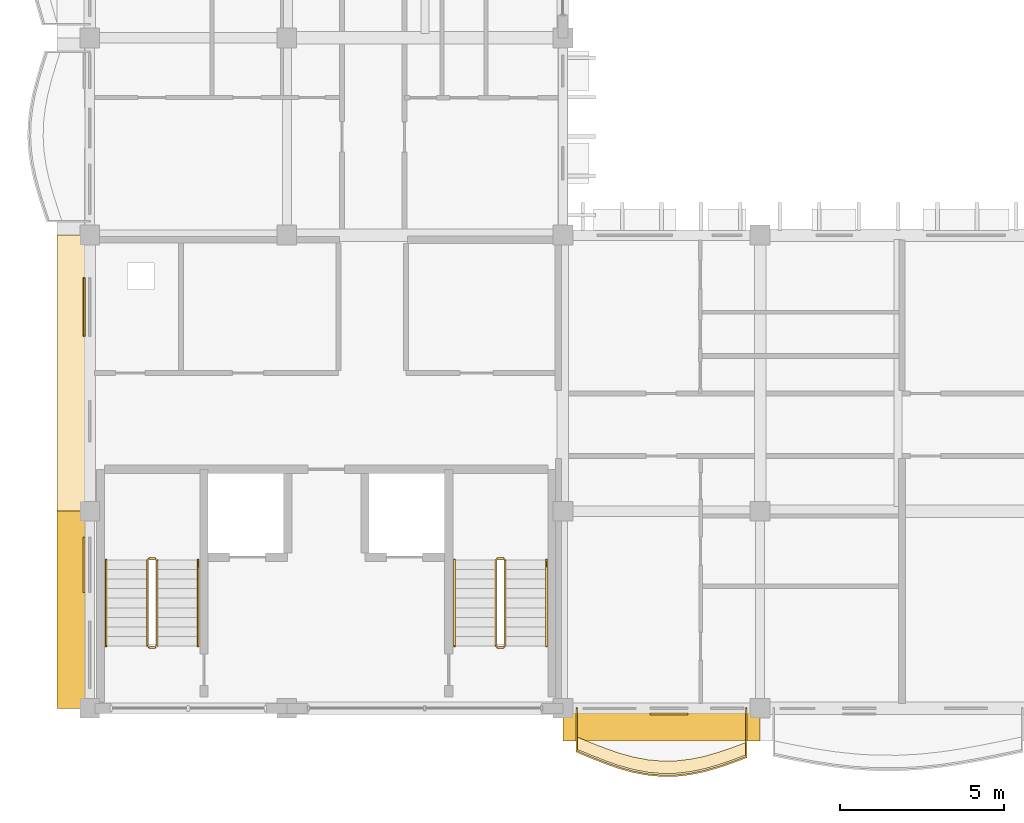
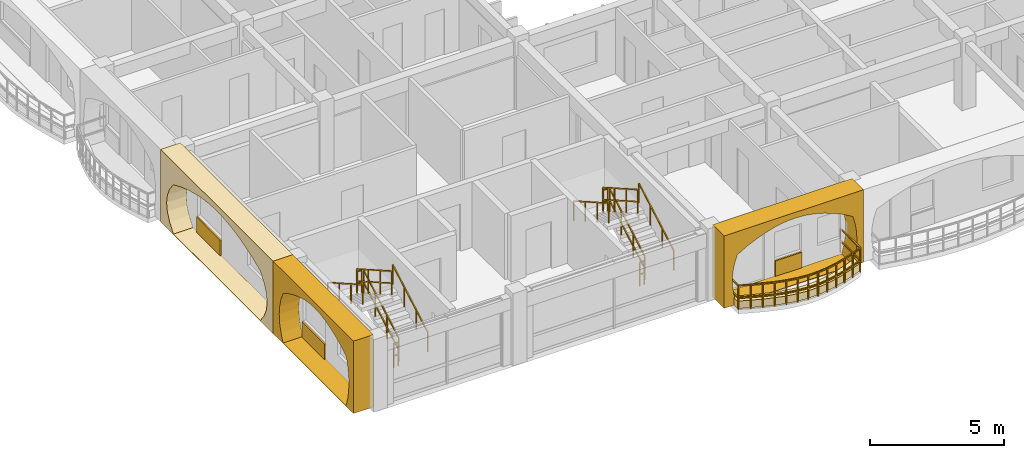
# One storey, part 49 of 76: 13 railings, 7 coverings.
"""IFC4 building model written with IfcOpenShell, lengths in metres."""

from ifc_helpers import new_model, si_unit, direction, frame, origin, origin_2d, place, context, subcontext, project, spatial, polyline, rectangle, outline, extrude, material, layer, layer_set, type_object, element, save


model = new_model("IFC4")

# Units and contexts
model_context = context("Model", 3, precision=1e-05, world=origin(), true_north=direction((0.0, 1.0)))
body_context = subcontext(model_context, "Body", "Model", "MODEL_VIEW")
ifc_project = project(units=[si_unit("LENGTHUNIT", "METRE"), si_unit("AREAUNIT", "SQUARE_METRE"), si_unit("VOLUMEUNIT", "CUBIC_METRE"), si_unit("PLANEANGLEUNIT", "RADIAN"), si_unit("MASSUNIT", "GRAM", prefix="KILO"), si_unit("THERMODYNAMICTEMPERATUREUNIT", "KELVIN")], contexts=[model_context])

# Site, building, storey
site_placement = place(None, origin())
site = spatial("IfcSite", under=ifc_project, at=site_placement, CompositionType="ELEMENT")
building_placement = place(site_placement, origin())
building = spatial("IfcBuilding", under=site, at=building_placement, Name="Thalorik Housing Commons", CompositionType="ELEMENT")
storey_placement = place(building_placement, frame((0.0, 0.0, 18.0)))
storey = spatial("IfcBuildingStorey", under=building, at=storey_placement, Name="L05", CompositionType="ELEMENT", Elevation=18.0)

# Coverings
ifc_material_1 = material(Name="Cobalt blue glazed ceramic facade tile panel", Category="masonry")
ifc_layer_1 = layer(ifc_material_1, 0.06005859375, Name="Cobalt blue glazed ceramic facade tile panel", Category="masonry")
ifc_layer_set_1 = layer_set([ifc_layer_1], Name="Cobalt blue glazed ceramic facade tile panel")
covering_type_1 = type_object("IfcCoveringType", Name="ARC-CLD-BLU-60", PredefinedType="CLADDING", material=ifc_layer_set_1)
covering_1_placement = place(storey_placement, frame((8.2275390625, 20.60498046875, 0.0498046875), z_axis=(0.0, 0.0, 1.0), x_axis=(0.0, -1.0, 0.0)))
element("IfcCovering", 1, at=covering_1_placement, inside=storey, type_object=covering_type_1, Name="L05 De Stijl Recessed Window Spandrel 3967", PredefinedType="CLADDING", context=body_context, shape_type="SweptSolid", body=[
    extrude(rectangle(XDim=1.780029296875, YDim=0.06005859375, at=origin_2d()), origin(), (0.0, 0.0, 1.0), 0.699951171875),
])
ifc_material_2 = material(Name="Precast concrete C40/50", Category="concrete")
ifc_layer_2 = layer(ifc_material_2, 0.85009765625, Name="Precast concrete C40/50", Category="concrete")
ifc_layer_set_2 = layer_set([ifc_layer_2], Name="Precast concrete C40/50")
covering_type_2 = type_object("IfcCoveringType", Name="ARC-CLD-CUSH-850", PredefinedType="CLADDING", material=ifc_layer_set_2)
covering_2_placement = place(storey_placement, frame((7.83740234375, 18.60009765625, 0.0), z_axis=(0.0, 0.0, 1.0), x_axis=(0.0, -1.0, 0.0)))
element("IfcCovering", 2, at=covering_2_placement, inside=storey, type_object=covering_type_2, Name="L05 White Precast Curved Cushion Bay Frame 3966", PredefinedType="CLADDING", context=body_context, shape_type="SweptSolid", body=[
    extrude(outline(polyline([(-4.199951171875, 0.0), (4.199951171875, 0.0), (4.199951171875, 3.300048828125), (-4.199951171875, 3.300048828125), (-4.199951171875, 0.0)]), holes=[polyline([(3.239990234375, 0.02490234375), (3.523193359375, 0.399169921875), (3.693359375, 0.773193359375), (3.75, 1.1474609375), (3.693359375, 1.521728515625), (3.523193359375, 1.895751953125), (3.239990234375, 2.27001953125), (2.699951171875, 2.50439453125), (2.159912109375, 2.6884765625), (1.6201171875, 2.837646484375), (1.080078125, 2.948486328125), (0.5400390625, 3.016845703125), (0.0, 3.0400390625), (-0.5400390625, 3.016845703125), (-1.080078125, 2.948486328125), (-1.6201171875, 2.837646484375), (-2.159912109375, 2.6884765625), (-2.699951171875, 2.50439453125), (-3.239990234375, 2.27001953125), (-3.523193359375, 1.895751953125), (-3.693359375, 1.521728515625), (-3.75, 1.1474609375), (-3.693359375, 0.773193359375), (-3.523193359375, 0.399169921875), (-3.239990234375, 0.02490234375), (3.239990234375, 0.02490234375)])]), frame((0.0, 0.425048828125, 0.0), z_axis=(0.0, -1.0, 0.0), x_axis=(1.0, 0.0, 0.0)), (0.0, 0.0, 1.0), 0.85009765625),
])
covering_3_placement = place(storey_placement, frame((7.83740234375, 11.39990234375, 0.0), z_axis=(0.0, 0.0, 1.0), x_axis=(0.0, -1.0, 0.0)))
element("IfcCovering", 3, at=covering_3_placement, inside=storey, type_object=covering_type_2, Name="L05 White Precast Curved Cushion Bay Frame 3968", PredefinedType="CLADDING", context=body_context, shape_type="SweptSolid", body=[
    extrude(outline(polyline([(-3.0, 0.0), (3.0, 0.0), (3.0, 3.300048828125), (-3.0, 3.300048828125), (-3.0, 0.0)]), holes=[polyline([(2.43994140625, 0.02490234375), (2.55810546875, 0.40087890625), (2.629150390625, 0.776611328125), (2.65283203125, 1.152587890625), (2.629150390625, 1.5283203125), (2.55810546875, 1.904296875), (2.43994140625, 2.280029296875), (2.04833984375, 2.51123046875), (1.65673828125, 2.693115234375), (1.264892578125, 2.840087890625), (0.873291015625, 2.94970703125), (0.481689453125, 3.01708984375), (0.090087890625, 3.0400390625), (-0.3017578125, 3.01708984375), (-0.693359375, 2.94970703125), (-1.0849609375, 2.840087890625), (-1.476806640625, 2.693115234375), (-1.868408203125, 2.51123046875), (-2.260009765625, 2.280029296875), (-2.421142578125, 1.904296875), (-2.517822265625, 1.5283203125), (-2.550048828125, 1.152587890625), (-2.517822265625, 0.776611328125), (-2.421142578125, 0.40087890625), (-2.260009765625, 0.02490234375), (2.43994140625, 0.02490234375)])]), frame((0.0, 0.425048828125, 0.0), z_axis=(0.0, -1.0, 0.0), x_axis=(1.0, 0.0, 0.0)), (0.0, 0.0, 1.0), 0.85009765625),
])
covering_4_placement = place(storey_placement, frame((25.800048828125, 7.83740234375, 0.0), z_axis=(0.0, 0.0, 1.0), x_axis=(1.0, 0.0, 0.0)))
element("IfcCovering", 4, at=covering_4_placement, inside=storey, type_object=covering_type_2, Name="L05 White Precast Curved Cushion Bay Frame 3970", PredefinedType="CLADDING", context=body_context, shape_type="SweptSolid", body=[
    extrude(outline(polyline([(-3.0, 0.0), (3.0, 0.0), (3.0, 3.300048828125), (-3.0, 3.300048828125), (-3.0, 0.0)]), holes=[polyline([(2.550048828125, 0.02490234375), (2.64501953125, 0.394287109375), (2.701904296875, 0.76318359375), (2.720947265625, 1.132568359375), (2.701904296875, 1.501708984375), (2.64501953125, 1.870849609375), (2.550048828125, 2.239990234375), (2.135009765625, 2.4833984375), (1.719970703125, 2.6748046875), (1.304931640625, 2.82958984375), (0.889892578125, 2.94482421875), (0.47509765625, 3.01611328125), (0.06005859375, 3.0400390625), (-0.35498046875, 3.01611328125), (-0.77001953125, 2.94482421875), (-1.18505859375, 2.82958984375), (-1.60009765625, 2.6748046875), (-2.014892578125, 2.4833984375), (-2.429931640625, 2.239990234375), (-2.55029296875, 1.870849609375), (-2.62255859375, 1.501708984375), (-2.646484375, 1.132568359375), (-2.62255859375, 0.76318359375), (-2.55029296875, 0.394287109375), (-2.429931640625, 0.02490234375), (2.550048828125, 0.02490234375)])]), frame((0.0, 0.425048828125, 0.0), z_axis=(0.0, -1.0, 0.0), x_axis=(1.0, 0.0, 0.0)), (0.0, 0.0, 1.0), 0.85009765625),
])
ifc_material_3 = material(Name="Mineral ochre architectural terracotta panel", Category="masonry")
ifc_layer_3 = layer(ifc_material_3, 0.06494140625, Name="Mineral ochre architectural terracotta panel", Category="masonry")
ifc_layer_set_3 = layer_set([ifc_layer_3], Name="Mineral ochre architectural terracotta panel")
covering_type_3 = type_object("IfcCoveringType", Name="ARC-CLD-YEL-65", PredefinedType="CLADDING", material=ifc_layer_set_3)
covering_5_placement = place(storey_placement, frame((8.22509765625, 12.77001953125, 0.0498046875), z_axis=(0.0, 0.0, 1.0), x_axis=(0.0, -1.0, 0.0)))
element("IfcCovering", 5, at=covering_5_placement, inside=storey, type_object=covering_type_3, Name="L05 De Stijl Recessed Window Spandrel 3969", PredefinedType="CLADDING", context=body_context, shape_type="SweptSolid", body=[
    extrude(rectangle(XDim=1.679931640625, YDim=0.06494140625, at=origin_2d()), origin(), (0.0, 0.0, 1.0), 0.699951171875),
])
covering_6_placement = place(storey_placement, frame((26.030029296875, 8.22509765625, 0.0498046875), z_axis=(0.0, 0.0, 1.0), x_axis=(1.0, 0.0, 0.0)))
element("IfcCovering", 6, at=covering_6_placement, inside=storey, type_object=covering_type_3, Name="L05 De Stijl Recessed Window Spandrel 3971", PredefinedType="CLADDING", context=body_context, shape_type="SweptSolid", body=[
    extrude(rectangle(XDim=1.14990234375, YDim=0.06494140625, at=origin_2d()), origin(), (0.0, 0.0, 1.0), 0.699951171875),
])
ifc_material_4 = material(Name="Planted vegetated substrate and terracotta trough", Category="masonry")
ifc_layer_4 = layer(ifc_material_4, 0.340087890625, Name="Planted vegetated substrate and terracotta trough", Category="masonry")
ifc_layer_set_4 = layer_set([ifc_layer_4], Name="Planted vegetated substrate and terracotta trough")
covering_type_4 = type_object("IfcCoveringType", Name="ARC-COV-PLANTER", PredefinedType="USERDEFINED", material=ifc_layer_set_4)
covering_7_placement = place(storey_placement, origin())
element("IfcCovering", 7, at=covering_7_placement, inside=storey, type_object=covering_type_4, Name="L05 Balcony Slab-Edge Planted Trough 5602", ObjectType="PLANTER", PredefinedType="USERDEFINED", context=body_context, shape_type="SweptSolid", body=[
    extrude(outline(polyline([(23.219970703125, 7.155029296875), (23.64990234375, 6.975830078125), (24.080078125, 6.806396484375), (24.510009765625, 6.657470703125), (24.93994140625, 6.5380859375), (25.3701171875, 6.456298828125), (25.800048828125, 6.41650390625), (26.22998046875, 6.421142578125), (26.659912109375, 6.468994140625), (27.090087890625, 6.556640625), (27.52001953125, 6.677490234375), (27.949951171875, 6.823486328125), (28.3798828125, 6.984619140625), (28.3798828125, 7.364501953125), (27.949951171875, 7.20361328125), (27.52001953125, 7.0576171875), (27.090087890625, 6.9365234375), (26.659912109375, 6.84912109375), (26.22998046875, 6.801025390625), (25.800048828125, 6.796630859375), (25.3701171875, 6.836181640625), (24.93994140625, 6.918212890625), (24.510009765625, 7.037353515625), (24.080078125, 7.186279296875), (23.64990234375, 7.35595703125), (23.219970703125, 7.534912109375), (23.219970703125, 7.155029296875)])), origin(), (0.0, 0.0, 1.0), 0.340087890625),
])

# Railings
ifc_material_5 = material(Name="Steel S355", Category="steel")
railing_type_1 = type_object("IfcRailingType", Name="ARC-RL-BAL-112", PredefinedType="BALUSTRADE", material=ifc_material_5)
railing_1_placement = place(storey_placement, frame((23.219970703125, 8.39990234375, 0.0)))
element("IfcRailing", 8, at=railing_1_placement, inside=storey, type_object=railing_type_1, Name="L05 Cushion Balcony Guardrail 286", PredefinedType="BALUSTRADE", context=body_context, shape_type="SweptSolid", body=[
    extrude(rectangle(XDim=0.050048828125, YDim=0.050048828125, at=origin_2d()), frame((0.0, 0.0, 1.09521484375), z_axis=(0.0, -1.0, 0.0), x_axis=(1.0, 0.0, 0.0)), (0.0, 0.0, 1.0), 1.31494140625),
    extrude(rectangle(XDim=0.050048828125, YDim=0.050048828125, at=origin_2d()), frame((0.0, 0.0, 0.53515625), z_axis=(0.0, -1.0, 0.0), x_axis=(1.0, 0.0, 0.0)), (0.0, 0.0, 1.0), 1.31494140625),
    extrude(rectangle(XDim=0.050048828125, YDim=0.050048828125, at=origin_2d()), frame((0.0, -1.31494140625, 1.09521484375), z_axis=(0.923216457319, -0.384280331184, 0.0), x_axis=(0.384280331184, 0.923216457319, 0.0)), (0.0, 0.0, 1.0), 0.465576171875),
    extrude(rectangle(XDim=0.050048828125, YDim=0.050048828125, at=origin_2d()), frame((0.0, -1.31494140625, 0.53515625), z_axis=(0.923216457319, -0.384280331184, 0.0), x_axis=(0.384280331184, 0.923216457319, 0.0)), (0.0, 0.0, 1.0), 0.465576171875),
    extrude(rectangle(XDim=0.050048828125, YDim=0.050048828125, at=origin_2d()), frame((0.429931640625, -1.493896484375, 1.09521484375), z_axis=(0.930250088629, -0.366926113279, 0.0), x_axis=(0.366926113279, 0.930250088629, 0.0)), (0.0, 0.0, 1.0), 0.46240234375),
    extrude(rectangle(XDim=0.050048828125, YDim=0.050048828125, at=origin_2d()), frame((0.429931640625, -1.493896484375, 0.53515625), z_axis=(0.930250088629, -0.366926113279, 0.0), x_axis=(0.366926113279, 0.930250088629, 0.0)), (0.0, 0.0, 1.0), 0.46240234375),
    extrude(rectangle(XDim=0.050048828125, YDim=0.050048828125, at=origin_2d()), frame((0.860107421875, -1.66357421875, 1.09521484375), z_axis=(0.944915878201, -0.327313279786, 0.0), x_axis=(0.327313279786, 0.944915878201, 0.0)), (0.0, 0.0, 1.0), 0.455078125),
    extrude(rectangle(XDim=0.050048828125, YDim=0.050048828125, at=origin_2d()), frame((0.860107421875, -1.66357421875, 0.53515625), z_axis=(0.944915878201, -0.327313279786, 0.0), x_axis=(0.327313279786, 0.944915878201, 0.0)), (0.0, 0.0, 1.0), 0.455078125),
    extrude(rectangle(XDim=0.050048828125, YDim=0.050048828125, at=origin_2d()), frame((1.2900390625, -1.8125, 1.09521484375), z_axis=(0.963682368492, -0.267051104954, 0.0), x_axis=(0.267051104954, 0.963682368492, 0.0)), (0.0, 0.0, 1.0), 0.446044921875),
    extrude(rectangle(XDim=0.050048828125, YDim=0.050048828125, at=origin_2d()), frame((1.2900390625, -1.8125, 0.53515625), z_axis=(0.963682368492, -0.267051104954, 0.0), x_axis=(0.267051104954, 0.963682368492, 0.0)), (0.0, 0.0, 1.0), 0.446044921875),
    extrude(rectangle(XDim=0.050048828125, YDim=0.050048828125, at=origin_2d()), frame((1.719970703125, -1.931640625, 1.09521484375), z_axis=(0.982299508461, -0.187317045881, 0.0), x_axis=(0.187317045881, 0.982299508461, 0.0)), (0.0, 0.0, 1.0), 0.43798828125),
    extrude(rectangle(XDim=0.050048828125, YDim=0.050048828125, at=origin_2d()), frame((1.719970703125, -1.931640625, 0.53515625), z_axis=(0.982299508461, -0.187317045881, 0.0), x_axis=(0.187317045881, 0.982299508461, 0.0)), (0.0, 0.0, 1.0), 0.43798828125),
    extrude(rectangle(XDim=0.050048828125, YDim=0.050048828125, at=origin_2d()), frame((2.150146484375, -2.013671875, 1.09521484375), z_axis=(0.995795295661, -0.091606381543, 0.0), x_axis=(0.091606381543, 0.995795295661, 0.0)), (0.0, 0.0, 1.0), 0.431640625),
    extrude(rectangle(XDim=0.050048828125, YDim=0.050048828125, at=origin_2d()), frame((2.150146484375, -2.013671875, 0.53515625), z_axis=(0.995795295661, -0.091606381543, 0.0), x_axis=(0.091606381543, 0.995795295661, 0.0)), (0.0, 0.0, 1.0), 0.431640625),
    extrude(rectangle(XDim=0.050048828125, YDim=0.050048828125, at=origin_2d()), frame((2.580078125, -2.05322265625, 1.09521484375), z_axis=(0.999947764919, 0.010220931158, 0.0), x_axis=(-0.010220931158, 0.999947764919, 0.0)), (0.0, 0.0, 1.0), 0.429931640625),
    extrude(rectangle(XDim=0.050048828125, YDim=0.050048828125, at=origin_2d()), frame((2.580078125, -2.05322265625, 0.53515625), z_axis=(0.999947764919, 0.010220931158, 0.0), x_axis=(-0.010220931158, 0.999947764919, 0.0)), (0.0, 0.0, 1.0), 0.429931640625),
    extrude(rectangle(XDim=0.050048828125, YDim=0.050048828125, at=origin_2d()), frame((3.010009765625, -2.048828125, 1.09521484375), z_axis=(0.993863069462, 0.110617354693, 0.0), x_axis=(-0.110617354693, 0.993863069462, 0.0)), (0.0, 0.0, 1.0), 0.4326171875),
    extrude(rectangle(XDim=0.050048828125, YDim=0.050048828125, at=origin_2d()), frame((3.010009765625, -2.048828125, 0.53515625), z_axis=(0.993863069462, 0.110617354693, 0.0), x_axis=(-0.110617354693, 0.993863069462, 0.0)), (0.0, 0.0, 1.0), 0.4326171875),
    extrude(rectangle(XDim=0.050048828125, YDim=0.050048828125, at=origin_2d()), frame((3.43994140625, -2.0009765625, 1.09521484375), z_axis=(0.979868490976, 0.1996440342, 0.0), x_axis=(-0.1996440342, 0.979868490976, 0.0)), (0.0, 0.0, 1.0), 0.43896484375),
    extrude(rectangle(XDim=0.050048828125, YDim=0.050048828125, at=origin_2d()), frame((3.43994140625, -2.0009765625, 0.53515625), z_axis=(0.979868490976, 0.1996440342, 0.0), x_axis=(-0.1996440342, 0.979868490976, 0.0)), (0.0, 0.0, 1.0), 0.43896484375),
    extrude(rectangle(XDim=0.050048828125, YDim=0.050048828125, at=origin_2d()), frame((3.8701171875, -1.913330078125, 1.09521484375), z_axis=(0.962548478062, 0.271109622441, 0.0), x_axis=(-0.271109622441, 0.962548478062, 0.0)), (0.0, 0.0, 1.0), 0.44677734375),
    extrude(rectangle(XDim=0.050048828125, YDim=0.050048828125, at=origin_2d()), frame((3.8701171875, -1.913330078125, 0.53515625), z_axis=(0.962548478062, 0.271109622441, 0.0), x_axis=(-0.271109622441, 0.962548478062, 0.0)), (0.0, 0.0, 1.0), 0.44677734375),
    extrude(rectangle(XDim=0.050048828125, YDim=0.050048828125, at=origin_2d()), frame((4.300048828125, -1.792236328125, 1.09521484375), z_axis=(0.946893945051, 0.321546041533, 0.0), x_axis=(-0.321546041533, 0.946893945051, 0.0)), (0.0, 0.0, 1.0), 0.4541015625),
    extrude(rectangle(XDim=0.050048828125, YDim=0.050048828125, at=origin_2d()), frame((4.300048828125, -1.792236328125, 0.53515625), z_axis=(0.946893945051, 0.321546041533, 0.0), x_axis=(-0.321546041533, 0.946893945051, 0.0)), (0.0, 0.0, 1.0), 0.4541015625),
    extrude(rectangle(XDim=0.050048828125, YDim=0.050048828125, at=origin_2d()), frame((4.72998046875, -1.646240234375, 1.09521484375), z_axis=(0.936569378676, 0.350482237676, 0.0), x_axis=(-0.350482237676, 0.936569378676, 0.0)), (0.0, 0.0, 1.0), 0.458984375),
    extrude(rectangle(XDim=0.050048828125, YDim=0.050048828125, at=origin_2d()), frame((4.72998046875, -1.646240234375, 0.53515625), z_axis=(0.936569378676, 0.350482237676, 0.0), x_axis=(-0.350482237676, 0.936569378676, 0.0)), (0.0, 0.0, 1.0), 0.458984375),
    extrude(rectangle(XDim=0.050048828125, YDim=0.050048828125, at=origin_2d()), frame((5.159912109375, -1.4853515625, 1.09521484375), z_axis=(0.0, 1.0, 0.0), x_axis=(-1.0, 0.0, 0.0)), (0.0, 0.0, 1.0), 1.4853515625),
    extrude(rectangle(XDim=0.050048828125, YDim=0.050048828125, at=origin_2d()), frame((5.159912109375, -1.4853515625, 0.53515625), z_axis=(0.0, 1.0, 0.0), x_axis=(-1.0, 0.0, 0.0)), (0.0, 0.0, 1.0), 1.4853515625),
    extrude(rectangle(XDim=0.0419921875, YDim=0.0419921875, at=origin_2d()), origin(), (0.0, 0.0, 1.0), 1.070068359375),
    extrude(rectangle(XDim=0.0419921875, YDim=0.0419921875, at=origin_2d()), frame((0.0, -1.31494140625, 0.0)), (0.0, 0.0, 1.0), 1.070068359375),
    extrude(rectangle(XDim=0.0419921875, YDim=0.0419921875, at=origin_2d()), frame((0.429931640625, -1.493896484375, 0.0)), (0.0, 0.0, 1.0), 1.070068359375),
    extrude(rectangle(XDim=0.0419921875, YDim=0.0419921875, at=origin_2d()), frame((0.860107421875, -1.66357421875, 0.0)), (0.0, 0.0, 1.0), 1.070068359375),
    extrude(rectangle(XDim=0.0419921875, YDim=0.0419921875, at=origin_2d()), frame((1.2900390625, -1.8125, 0.0)), (0.0, 0.0, 1.0), 1.070068359375),
    extrude(rectangle(XDim=0.0419921875, YDim=0.0419921875, at=origin_2d()), frame((1.719970703125, -1.931640625, 0.0)), (0.0, 0.0, 1.0), 1.070068359375),
    extrude(rectangle(XDim=0.0419921875, YDim=0.0419921875, at=origin_2d()), frame((2.150146484375, -2.013671875, 0.0)), (0.0, 0.0, 1.0), 1.070068359375),
    extrude(rectangle(XDim=0.0419921875, YDim=0.0419921875, at=origin_2d()), frame((2.580078125, -2.05322265625, 0.0)), (0.0, 0.0, 1.0), 1.070068359375),
    extrude(rectangle(XDim=0.0419921875, YDim=0.0419921875, at=origin_2d()), frame((3.010009765625, -2.048828125, 0.0)), (0.0, 0.0, 1.0), 1.070068359375),
    extrude(rectangle(XDim=0.0419921875, YDim=0.0419921875, at=origin_2d()), frame((3.43994140625, -2.0009765625, 0.0)), (0.0, 0.0, 1.0), 1.070068359375),
    extrude(rectangle(XDim=0.0419921875, YDim=0.0419921875, at=origin_2d()), frame((3.8701171875, -1.913330078125, 0.0)), (0.0, 0.0, 1.0), 1.070068359375),
    extrude(rectangle(XDim=0.0419921875, YDim=0.0419921875, at=origin_2d()), frame((4.300048828125, -1.792236328125, 0.0)), (0.0, 0.0, 1.0), 1.070068359375),
    extrude(rectangle(XDim=0.0419921875, YDim=0.0419921875, at=origin_2d()), frame((4.72998046875, -1.646240234375, 0.0)), (0.0, 0.0, 1.0), 1.070068359375),
    extrude(rectangle(XDim=0.0419921875, YDim=0.0419921875, at=origin_2d()), frame((5.159912109375, -1.4853515625, 0.0)), (0.0, 0.0, 1.0), 1.070068359375),
    extrude(rectangle(XDim=0.0419921875, YDim=0.0419921875, at=origin_2d()), frame((5.159912109375, 0.0, 0.0)), (0.0, 0.0, 1.0), 1.070068359375),
])
railing_type_2 = type_object("IfcRailingType", Name="ARC-RL-STR-GRD110", PredefinedType="GUARDRAIL", material=ifc_material_5)
railing_2_placement = place(storey_placement, frame((10.449951171875, 10.300048828125, 0.1650390625)))
element("IfcRailing", 9, at=railing_2_placement, inside=storey, type_object=railing_type_2, Name="L05 ST-C1 stair guard 1", PredefinedType="GUARDRAIL", context=body_context, shape_type="SweptSolid", body=[
    extrude(rectangle(XDim=0.048095703125, YDim=0.048095703125, at=origin_2d()), frame((0.0, 0.0, 1.076171875), z_axis=(0.0, 0.869172267526, 0.494509422927), x_axis=(-1.0, 0.0, 0.0)), (0.0, 0.0, 1.0), 3.002685546875),
    extrude(rectangle(XDim=0.048095703125, YDim=0.048095703125, at=origin_2d()), frame((0.0, 0.0, 0.52587890625), z_axis=(0.0, 0.869172267526, 0.494509422927), x_axis=(-1.0, 0.0, 0.0)), (0.0, 0.0, 1.0), 3.002685546875),
    extrude(rectangle(XDim=0.0419921875, YDim=0.0419921875, at=origin_2d()), origin(), (0.0, 0.0, 1.0), 1.052001953125),
    extrude(rectangle(XDim=0.0419921875, YDim=0.0419921875, at=origin_2d()), frame((0.0, 0.869873046875, 0.494873046875)), (0.0, 0.0, 1.0), 1.052001953125),
    extrude(rectangle(XDim=0.0419921875, YDim=0.0419921875, at=origin_2d()), frame((0.0, 1.739990234375, 0.989990234375)), (0.0, 0.0, 1.0), 1.052001953125),
    extrude(rectangle(XDim=0.0419921875, YDim=0.0419921875, at=origin_2d()), frame((0.0, 2.60986328125, 1.48486328125)), (0.0, 0.0, 1.0), 1.052001953125),
])
railing_3_placement = place(storey_placement, frame((10.39990234375, 12.9599609375, 1.64990234375)))
element("IfcRailing", 10, at=railing_3_placement, inside=storey, type_object=railing_type_2, Name="L05 ST-C1 stair guard 2", PredefinedType="GUARDRAIL", context=body_context, shape_type="SweptSolid", body=[
    extrude(rectangle(XDim=0.048095703125, YDim=0.048095703125, at=origin_2d()), frame((0.0, 0.0, 1.076171875), z_axis=(-1.0, 0.0, 0.0), x_axis=(0.0, -1.0, 0.0)), (0.0, 0.0, 1.0), 0.199951171875),
    extrude(rectangle(XDim=0.048095703125, YDim=0.048095703125, at=origin_2d()), frame((0.0, 0.0, 0.52587890625), z_axis=(-1.0, 0.0, 0.0), x_axis=(0.0, -1.0, 0.0)), (0.0, 0.0, 1.0), 0.199951171875),
    extrude(rectangle(XDim=0.0419921875, YDim=0.0419921875, at=origin_2d()), origin(), (0.0, 0.0, 1.0), 1.052001953125),
    extrude(rectangle(XDim=0.0419921875, YDim=0.0419921875, at=origin_2d()), frame((-0.199951171875, 0.0, 0.0)), (0.0, 0.0, 1.0), 1.052001953125),
])
railing_4_placement = place(storey_placement, frame((10.14990234375, 12.909912109375, 1.81494140625)))
element("IfcRailing", 11, at=railing_4_placement, inside=storey, type_object=railing_type_2, Name="L05 ST-C1 stair guard 3", PredefinedType="GUARDRAIL", context=body_context, shape_type="SweptSolid", body=[
    extrude(rectangle(XDim=0.048095703125, YDim=0.048095703125, at=origin_2d()), frame((0.0, 0.0, 1.076171875), z_axis=(0.0, -0.869137319866, 0.494570843475), x_axis=(1.0, 0.0, 0.0)), (0.0, 0.0, 1.0), 3.0029296875),
    extrude(rectangle(XDim=0.048095703125, YDim=0.048095703125, at=origin_2d()), frame((0.0, 0.0, 0.52587890625), z_axis=(0.0, -0.869137319866, 0.494570843475), x_axis=(1.0, 0.0, 0.0)), (0.0, 0.0, 1.0), 3.0029296875),
    extrude(rectangle(XDim=0.0419921875, YDim=0.0419921875, at=origin_2d()), origin(), (0.0, 0.0, 1.0), 1.052001953125),
    extrude(rectangle(XDim=0.0419921875, YDim=0.0419921875, at=origin_2d()), frame((0.0, -0.869873046875, 0.4951171875)), (0.0, 0.0, 1.0), 1.052001953125),
    extrude(rectangle(XDim=0.0419921875, YDim=0.0419921875, at=origin_2d()), frame((0.0, -1.739990234375, 0.989990234375)), (0.0, 0.0, 1.0), 1.052001953125),
    extrude(rectangle(XDim=0.0419921875, YDim=0.0419921875, at=origin_2d()), frame((0.0, -2.60986328125, 1.485107421875)), (0.0, 0.0, 1.0), 1.052001953125),
])
railing_5_placement = place(storey_placement, frame((10.39990234375, 10.25, 0.0)))
element("IfcRailing", 12, at=railing_5_placement, inside=storey, type_object=railing_type_2, Name="L05 ST-C1 stair guard 4", PredefinedType="GUARDRAIL", context=body_context, shape_type="SweptSolid", body=[
    extrude(rectangle(XDim=0.048095703125, YDim=0.048095703125, at=origin_2d()), frame((0.0, 0.0, 1.076171875), z_axis=(-1.0, 0.0, 0.0), x_axis=(0.0, -1.0, 0.0)), (0.0, 0.0, 1.0), 0.199951171875),
    extrude(rectangle(XDim=0.048095703125, YDim=0.048095703125, at=origin_2d()), frame((0.0, 0.0, 0.52587890625), z_axis=(-1.0, 0.0, 0.0), x_axis=(0.0, -1.0, 0.0)), (0.0, 0.0, 1.0), 0.199951171875),
    extrude(rectangle(XDim=0.0419921875, YDim=0.0419921875, at=origin_2d()), origin(), (0.0, 0.0, 1.0), 1.052001953125),
    extrude(rectangle(XDim=0.0419921875, YDim=0.0419921875, at=origin_2d()), frame((-0.199951171875, 0.0, 0.0)), (0.0, 0.0, 1.0), 1.052001953125),
])
railing_6_placement = place(storey_placement, frame((21.050048828125, 10.300048828125, 0.1650390625)))
element("IfcRailing", 13, at=railing_6_placement, inside=storey, type_object=railing_type_2, Name="L05 ST-C2 stair guard 1", PredefinedType="GUARDRAIL", context=body_context, shape_type="SweptSolid", body=[
    extrude(rectangle(XDim=0.048095703125, YDim=0.048095703125, at=origin_2d()), frame((0.0, 0.0, 1.076171875), z_axis=(0.0, 0.869172267526, 0.494509422927), x_axis=(-1.0, 0.0, 0.0)), (0.0, 0.0, 1.0), 3.002685546875),
    extrude(rectangle(XDim=0.048095703125, YDim=0.048095703125, at=origin_2d()), frame((0.0, 0.0, 0.52587890625), z_axis=(0.0, 0.869172267526, 0.494509422927), x_axis=(-1.0, 0.0, 0.0)), (0.0, 0.0, 1.0), 3.002685546875),
    extrude(rectangle(XDim=0.0419921875, YDim=0.0419921875, at=origin_2d()), origin(), (0.0, 0.0, 1.0), 1.052001953125),
    extrude(rectangle(XDim=0.0419921875, YDim=0.0419921875, at=origin_2d()), frame((0.0, 0.869873046875, 0.494873046875)), (0.0, 0.0, 1.0), 1.052001953125),
    extrude(rectangle(XDim=0.0419921875, YDim=0.0419921875, at=origin_2d()), frame((0.0, 1.739990234375, 0.989990234375)), (0.0, 0.0, 1.0), 1.052001953125),
    extrude(rectangle(XDim=0.0419921875, YDim=0.0419921875, at=origin_2d()), frame((0.0, 2.60986328125, 1.48486328125)), (0.0, 0.0, 1.0), 1.052001953125),
])
railing_7_placement = place(storey_placement, frame((21.0, 12.9599609375, 1.64990234375)))
element("IfcRailing", 14, at=railing_7_placement, inside=storey, type_object=railing_type_2, Name="L05 ST-C2 stair guard 2", PredefinedType="GUARDRAIL", context=body_context, shape_type="SweptSolid", body=[
    extrude(rectangle(XDim=0.048095703125, YDim=0.048095703125, at=origin_2d()), frame((0.0, 0.0, 1.076171875), z_axis=(-1.0, 0.0, 0.0), x_axis=(0.0, -1.0, 0.0)), (0.0, 0.0, 1.0), 0.199951171875),
    extrude(rectangle(XDim=0.048095703125, YDim=0.048095703125, at=origin_2d()), frame((0.0, 0.0, 0.52587890625), z_axis=(-1.0, 0.0, 0.0), x_axis=(0.0, -1.0, 0.0)), (0.0, 0.0, 1.0), 0.199951171875),
    extrude(rectangle(XDim=0.0419921875, YDim=0.0419921875, at=origin_2d()), origin(), (0.0, 0.0, 1.0), 1.052001953125),
    extrude(rectangle(XDim=0.0419921875, YDim=0.0419921875, at=origin_2d()), frame((-0.199951171875, 0.0, 0.0)), (0.0, 0.0, 1.0), 1.052001953125),
])
railing_8_placement = place(storey_placement, frame((20.75, 12.909912109375, 1.81494140625)))
element("IfcRailing", 15, at=railing_8_placement, inside=storey, type_object=railing_type_2, Name="L05 ST-C2 stair guard 3", PredefinedType="GUARDRAIL", context=body_context, shape_type="SweptSolid", body=[
    extrude(rectangle(XDim=0.048095703125, YDim=0.048095703125, at=origin_2d()), frame((0.0, 0.0, 1.076171875), z_axis=(0.0, -0.869137319866, 0.494570843475), x_axis=(1.0, 0.0, 0.0)), (0.0, 0.0, 1.0), 3.0029296875),
    extrude(rectangle(XDim=0.048095703125, YDim=0.048095703125, at=origin_2d()), frame((0.0, 0.0, 0.52587890625), z_axis=(0.0, -0.869137319866, 0.494570843475), x_axis=(1.0, 0.0, 0.0)), (0.0, 0.0, 1.0), 3.0029296875),
    extrude(rectangle(XDim=0.0419921875, YDim=0.0419921875, at=origin_2d()), origin(), (0.0, 0.0, 1.0), 1.052001953125),
    extrude(rectangle(XDim=0.0419921875, YDim=0.0419921875, at=origin_2d()), frame((0.0, -0.869873046875, 0.4951171875)), (0.0, 0.0, 1.0), 1.052001953125),
    extrude(rectangle(XDim=0.0419921875, YDim=0.0419921875, at=origin_2d()), frame((0.0, -1.739990234375, 0.989990234375)), (0.0, 0.0, 1.0), 1.052001953125),
    extrude(rectangle(XDim=0.0419921875, YDim=0.0419921875, at=origin_2d()), frame((0.0, -2.60986328125, 1.485107421875)), (0.0, 0.0, 1.0), 1.052001953125),
])
railing_9_placement = place(storey_placement, frame((21.0, 10.25, 0.0)))
element("IfcRailing", 16, at=railing_9_placement, inside=storey, type_object=railing_type_2, Name="L05 ST-C2 stair guard 4", PredefinedType="GUARDRAIL", context=body_context, shape_type="SweptSolid", body=[
    extrude(rectangle(XDim=0.048095703125, YDim=0.048095703125, at=origin_2d()), frame((0.0, 0.0, 1.076171875), z_axis=(-1.0, 0.0, 0.0), x_axis=(0.0, -1.0, 0.0)), (0.0, 0.0, 1.0), 0.199951171875),
    extrude(rectangle(XDim=0.048095703125, YDim=0.048095703125, at=origin_2d()), frame((0.0, 0.0, 0.52587890625), z_axis=(-1.0, 0.0, 0.0), x_axis=(0.0, -1.0, 0.0)), (0.0, 0.0, 1.0), 0.199951171875),
    extrude(rectangle(XDim=0.0419921875, YDim=0.0419921875, at=origin_2d()), origin(), (0.0, 0.0, 1.0), 1.052001953125),
    extrude(rectangle(XDim=0.0419921875, YDim=0.0419921875, at=origin_2d()), frame((-0.199951171875, 0.0, 0.0)), (0.0, 0.0, 1.0), 1.052001953125),
])
railing_type_3 = type_object("IfcRailingType", Name="ARC-RL-STR-HR092", PredefinedType="HANDRAIL", material=ifc_material_5)
railing_10_placement = place(storey_placement, frame((11.699951171875, 10.300048828125, 0.1650390625)))
element("IfcRailing", 17, at=railing_10_placement, inside=storey, type_object=railing_type_3, Name="L05 ST-C1 stair handrail 1", PredefinedType="HANDRAIL", context=body_context, shape_type="SweptSolid", body=[
    extrude(rectangle(XDim=0.048095703125, YDim=0.048095703125, at=origin_2d()), frame((0.0, 0.0, 0.89599609375), z_axis=(0.0, 0.869172267526, 0.494509422927), x_axis=(-1.0, 0.0, 0.0)), (0.0, 0.0, 1.0), 3.002685546875),
    extrude(rectangle(XDim=0.0419921875, YDim=0.0419921875, at=origin_2d()), origin(), (0.0, 0.0, 1.0), 0.871826171875),
    extrude(rectangle(XDim=0.0419921875, YDim=0.0419921875, at=origin_2d()), frame((0.0, 0.869873046875, 0.494873046875)), (0.0, 0.0, 1.0), 0.871826171875),
    extrude(rectangle(XDim=0.0419921875, YDim=0.0419921875, at=origin_2d()), frame((0.0, 1.739990234375, 0.989990234375)), (0.0, 0.0, 1.0), 0.871826171875),
    extrude(rectangle(XDim=0.0419921875, YDim=0.0419921875, at=origin_2d()), frame((0.0, 2.60986328125, 1.48486328125)), (0.0, 0.0, 1.0), 0.871826171875),
])
railing_11_placement = place(storey_placement, frame((8.89990234375, 12.909912109375, 1.81494140625)))
element("IfcRailing", 18, at=railing_11_placement, inside=storey, type_object=railing_type_3, Name="L05 ST-C1 stair handrail 2", PredefinedType="HANDRAIL", context=body_context, shape_type="SweptSolid", body=[
    extrude(rectangle(XDim=0.048095703125, YDim=0.048095703125, at=origin_2d()), frame((0.0, 0.0, 0.89599609375), z_axis=(0.0, -0.869137319866, 0.494570843475), x_axis=(1.0, 0.0, 0.0)), (0.0, 0.0, 1.0), 3.0029296875),
    extrude(rectangle(XDim=0.0419921875, YDim=0.0419921875, at=origin_2d()), origin(), (0.0, 0.0, 1.0), 0.871826171875),
    extrude(rectangle(XDim=0.0419921875, YDim=0.0419921875, at=origin_2d()), frame((0.0, -0.869873046875, 0.4951171875)), (0.0, 0.0, 1.0), 0.871826171875),
    extrude(rectangle(XDim=0.0419921875, YDim=0.0419921875, at=origin_2d()), frame((0.0, -1.739990234375, 0.989990234375)), (0.0, 0.0, 1.0), 0.871826171875),
    extrude(rectangle(XDim=0.0419921875, YDim=0.0419921875, at=origin_2d()), frame((0.0, -2.60986328125, 1.485107421875)), (0.0, 0.0, 1.0), 0.871826171875),
])
railing_12_placement = place(storey_placement, frame((22.300048828125, 10.300048828125, 0.1650390625)))
element("IfcRailing", 19, at=railing_12_placement, inside=storey, type_object=railing_type_3, Name="L05 ST-C2 stair handrail 1", PredefinedType="HANDRAIL", context=body_context, shape_type="SweptSolid", body=[
    extrude(rectangle(XDim=0.048095703125, YDim=0.048095703125, at=origin_2d()), frame((0.0, 0.0, 0.89599609375), z_axis=(0.0, 0.869172267526, 0.494509422927), x_axis=(-1.0, 0.0, 0.0)), (0.0, 0.0, 1.0), 3.002685546875),
    extrude(rectangle(XDim=0.0419921875, YDim=0.0419921875, at=origin_2d()), origin(), (0.0, 0.0, 1.0), 0.871826171875),
    extrude(rectangle(XDim=0.0419921875, YDim=0.0419921875, at=origin_2d()), frame((0.0, 0.869873046875, 0.494873046875)), (0.0, 0.0, 1.0), 0.871826171875),
    extrude(rectangle(XDim=0.0419921875, YDim=0.0419921875, at=origin_2d()), frame((0.0, 1.739990234375, 0.989990234375)), (0.0, 0.0, 1.0), 0.871826171875),
    extrude(rectangle(XDim=0.0419921875, YDim=0.0419921875, at=origin_2d()), frame((0.0, 2.60986328125, 1.48486328125)), (0.0, 0.0, 1.0), 0.871826171875),
])
railing_13_placement = place(storey_placement, frame((19.5, 12.909912109375, 1.81494140625)))
element("IfcRailing", 20, at=railing_13_placement, inside=storey, type_object=railing_type_3, Name="L05 ST-C2 stair handrail 2", PredefinedType="HANDRAIL", context=body_context, shape_type="SweptSolid", body=[
    extrude(rectangle(XDim=0.048095703125, YDim=0.048095703125, at=origin_2d()), frame((0.0, 0.0, 0.89599609375), z_axis=(0.0, -0.869137319866, 0.494570843475), x_axis=(1.0, 0.0, 0.0)), (0.0, 0.0, 1.0), 3.0029296875),
    extrude(rectangle(XDim=0.0419921875, YDim=0.0419921875, at=origin_2d()), origin(), (0.0, 0.0, 1.0), 0.871826171875),
    extrude(rectangle(XDim=0.0419921875, YDim=0.0419921875, at=origin_2d()), frame((0.0, -0.869873046875, 0.4951171875)), (0.0, 0.0, 1.0), 0.871826171875),
    extrude(rectangle(XDim=0.0419921875, YDim=0.0419921875, at=origin_2d()), frame((0.0, -1.739990234375, 0.989990234375)), (0.0, 0.0, 1.0), 0.871826171875),
    extrude(rectangle(XDim=0.0419921875, YDim=0.0419921875, at=origin_2d()), frame((0.0, -2.60986328125, 1.485107421875)), (0.0, 0.0, 1.0), 0.871826171875),
])

save(model, "model.ifc")
